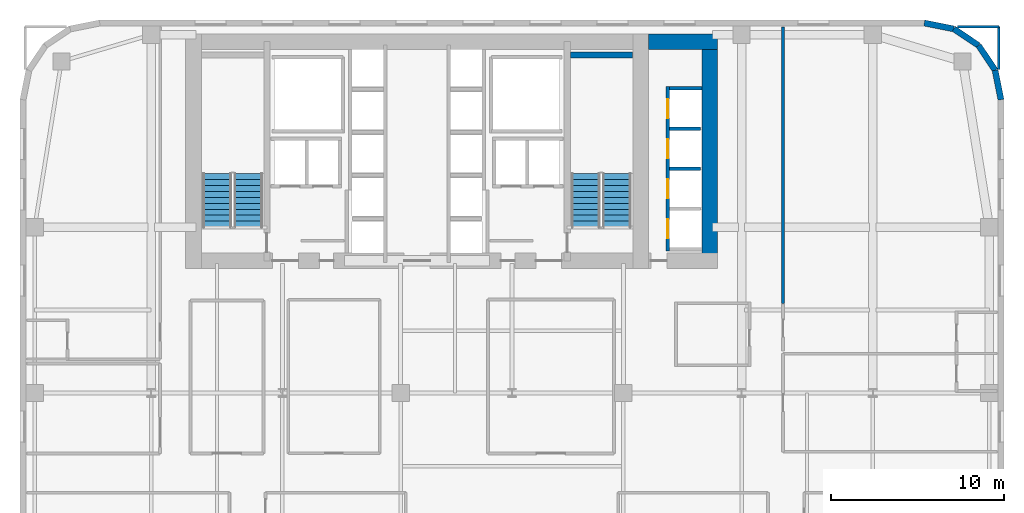
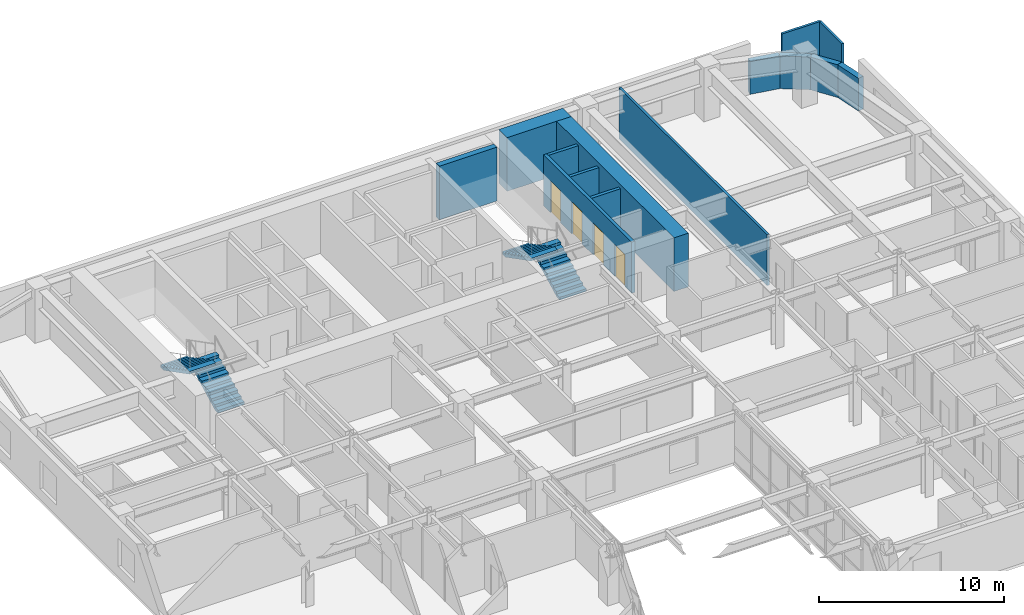
# One storey, part 15 of 16: 14 walls, 4 doors, 4 stair flights, 4 openings, 2 elements without a shape of their own.
"""IFC4 building model written with IfcOpenShell, lengths in metres."""

from ifc_helpers import new_model, si_unit, direction, frame, frame_2d, origin, place, context, subcontext, project, spatial, polyline, rectangle, outline, extrude, source, transform, mapped, material, layer, layer_set, type_object, type_shapes, element, fill, aggregate, save


model = new_model("IFC4")

# Units and contexts
model_context = context("Model", 3, precision=1e-05, world=origin(), true_north=direction((0.0, 1.0)))
body_context = subcontext(model_context, "Body", "Model", "MODEL_VIEW")
ifc_project = project(units=[si_unit("LENGTHUNIT", "METRE"), si_unit("AREAUNIT", "SQUARE_METRE"), si_unit("VOLUMEUNIT", "CUBIC_METRE"), si_unit("PLANEANGLEUNIT", "RADIAN"), si_unit("MASSUNIT", "GRAM", prefix="KILO")], contexts=[model_context])

# Site, building, storey
site_placement = place(None, origin())
site = spatial("IfcSite", under=ifc_project, at=site_placement, CompositionType="ELEMENT")
building_placement = place(site_placement, origin())
building = spatial("IfcBuilding", under=site, at=building_placement, Name="Tolvann Quenvar Hotel", CompositionType="ELEMENT")
storey_placement = place(building_placement, frame((0.0, 0.0, 71.050048828125)))
storey = spatial("IfcBuildingStorey", under=building, at=storey_placement, Name="L17", CompositionType="ELEMENT", Elevation=71.050048828125)

# Walls
ifc_material_1 = material(Name="Concrete S80 (80 MPa)", Category="concrete")
ifc_layer_1 = layer(ifc_material_1, 0.89990234375)
ifc_layer_set_1 = layer_set([ifc_layer_1], Name="Concrete S80 (80 MPa)")
wall_type_1 = type_object("IfcWallType", Name="WALL_CORE_900", PredefinedType="SHEAR", material=ifc_layer_set_1)
wall_1_placement = place(storey_placement, frame((36.39990234375, 44.75, 0.0), z_axis=(0.0, 0.0, 1.0), x_axis=(1.0, 0.0, 0.0)))
element("IfcWall", 1, at=wall_1_placement, inside=storey, type_object=wall_type_1, Name="Core East Annex Shear Wall ANN-N (L17)", PredefinedType="SHEAR", context=body_context, shape_type="SweptSolid", body=[
    extrude(rectangle(XDim=4.0, YDim=0.89990234375, at=frame_2d((2.0, 0.0))), origin(), (0.0, 0.0, 1.0), 3.550048828125),
])
wall_2_placement = place(storey_placement, frame((39.949951171875, 31.60009765625, 0.0), z_axis=(0.0, 0.0, 1.0), x_axis=(0.0, 1.0, 0.0)))
element("IfcWall", 2, at=wall_2_placement, inside=storey, type_object=wall_type_1, Name="Core East Annex Shear Wall ANN-E (L17)", PredefinedType="SHEAR", context=body_context, shape_type="SweptSolid", body=[
    extrude(rectangle(XDim=13.599853515625, YDim=0.89990234375, at=frame_2d((6.7998046875, 0.0))), origin(), (0.0, 0.0, 1.0), 3.550048828125),
])
ifc_material_2 = material(Name="Concrete S65 (65 MPa)", Category="concrete")
ifc_layer_2 = layer(ifc_material_2, 0.35009765625)
ifc_layer_set_2 = layer_set([ifc_layer_2], Name="Concrete S65 (65 MPa)")
wall_type_2 = type_object("IfcWallType", Name="WALL_CORE_INT_350", PredefinedType="SHEAR", material=ifc_layer_set_2)
wall_3_placement = place(storey_placement, frame((31.8798828125, 43.97509765625, 0.0), z_axis=(0.0, 0.0, 1.0), x_axis=(1.0, 0.0, 0.0)))
element("IfcWall", 3, at=wall_3_placement, inside=storey, type_object=wall_type_2, Name="Core Stair North Closing Shear Wall STC2-N (L17)", PredefinedType="SHEAR", context=body_context, shape_type="SweptSolid", body=[
    extrude(rectangle(XDim=3.60009765625, YDim=0.35009765625, at=frame_2d((1.800048828125, 0.0))), origin(), (0.0, 0.0, 1.0), 3.550048828125),
])
ifc_material_3 = material(Name="Kiln-fired red and buff architectural clay brickwork and terracotta masonry", Category="masonry")
ifc_layer_3 = layer(ifc_material_3, 0.35009765625)
ifc_layer_set_3 = layer_set([ifc_layer_3], Name="Kiln-fired red and buff architectural clay brickwork and terracotta masonry")
wall_type_3 = type_object("IfcWallType", Name="WALL_EXT_BRICK_350", PredefinedType="SOLIDWALL", material=ifc_layer_set_3)
wall_4_placement = place(storey_placement, frame((56.824951171875, 41.3828125, 0.0), z_axis=(0.0, 0.0, 1.0), x_axis=(-0.195011420161, 0.980800971659, 0.0)))
element("IfcWall", 4, at=wall_4_placement, inside=storey, type_object=wall_type_3, Name="Exterior Chicago Brick Wall L17-E14", PredefinedType="SOLIDWALL", context=body_context, shape_type="SweptSolid", body=[
    extrude(rectangle(XDim=1.74267578125, YDim=0.35009765625, at=frame_2d((0.871337890625, 0.0))), origin(), (0.0, 0.0, 1.0), 2.159912109375),
])
for number, where, z_axis, x_axis, name in (
    (5, (56.485107421875, 43.092041015625, 0.0), (0.0, 0.0, 1.0), (-0.55554893791, 0.831483840845, 0.0), "Exterior Chicago Brick Wall L17-E15"),
    (6, (55.526611328125, 44.526611328125, 0.0), (0.0, 0.0, 1.0), (-0.831483840845, 0.55554893791, 0.0), "Exterior Chicago Brick Wall L17-E16"),
):
    element("IfcWall", number, at=place(storey_placement, frame(where, z_axis=z_axis, x_axis=x_axis)), inside=storey, type_object=wall_type_3, Name=name, PredefinedType="SOLIDWALL", context=body_context, shape_type="SweptSolid", body=[
        extrude(rectangle(XDim=1.725341796875, YDim=0.35009765625, at=frame_2d((0.86279296875, 0.0))), origin(), (0.0, 0.0, 1.0), 2.159912109375),
    ])
wall_5_placement = place(storey_placement, frame((54.092041015625, 45.485107421875, 0.0), z_axis=(0.0, 0.0, 1.0), x_axis=(-0.980800971659, 0.195011420161, 0.0)))
element("IfcWall", 7, at=wall_5_placement, inside=storey, type_object=wall_type_3, Name="Exterior Chicago Brick Wall L17-E17", PredefinedType="SOLIDWALL", context=body_context, shape_type="SweptSolid", body=[
    extrude(rectangle(XDim=1.74267578125, YDim=0.35009765625, at=frame_2d((0.871337890625, 0.0))), origin(), (0.0, 0.0, 1.0), 2.159912109375),
])
ifc_material_4 = material(Name="Acoustic twin-stud fire-rated gypsum plasterboard partition")
ifc_layer_4 = layer(ifc_material_4, 0.14990234375)
ifc_layer_set_4 = layer_set([ifc_layer_4], Name="Acoustic twin-stud fire-rated gypsum plasterboard partition")
wall_type_4 = type_object("IfcWallType", Name="WALL_PART_SUITE_150", PredefinedType="PARTITIONING", material=ifc_layer_set_4)
wall_6_placement = place(storey_placement, frame((56.699951171875, 43.135009765625, 0.0), z_axis=(0.0, 0.0, 1.0), x_axis=(0.0, 1.0, 0.0)))
element("IfcWall", 8, at=wall_6_placement, inside=storey, type_object=wall_type_4, Name="Interior Partition PT-SPC-L17-RM-NE02-E4", PredefinedType="PARTITIONING", context=body_context, shape_type="SweptSolid", body=[
    extrude(rectangle(XDim=2.485107421875, YDim=0.14990234375, at=frame_2d((1.24267578125, 0.0))), origin(), (0.0, 0.0, 1.0), 3.369873046875),
])
wall_7_placement = place(storey_placement, frame((54.303955078125, 45.6201171875, 0.0), z_axis=(0.0, 0.0, 1.0), x_axis=(1.0, 0.0, 0.0)))
element("IfcWall", 9, at=wall_7_placement, inside=storey, type_object=wall_type_4, Name="Interior Partition PT-SPC-L17-RM-NE02-E5", PredefinedType="PARTITIONING", context=body_context, shape_type="SweptSolid", body=[
    extrude(rectangle(XDim=2.39599609375, YDim=0.14990234375, at=frame_2d((1.197998046875, 0.0))), origin(), (0.0, 0.0, 1.0), 3.369873046875),
])
wall_8_placement = place(storey_placement, frame((44.199951171875, 29.570068359375, 0.0), z_axis=(0.0, 0.0, 1.0), x_axis=(0.0, 1.0, 0.0)))
element("IfcWall", 10, at=wall_8_placement, inside=storey, type_object=wall_type_4, Name="Interior Partition PT-SPC-L17-RM-NE02-E6", PredefinedType="PARTITIONING", context=body_context, shape_type="SweptSolid", body=[
    extrude(rectangle(XDim=16.02490234375, YDim=0.14990234375, at=frame_2d((8.012451171875, 0.0))), origin(), (0.0, 0.0, 1.0), 3.369873046875),
])

# Wall, openings, doors
ifc_material_5 = material(Name="Concrete N40 (40 MPa)", Category="concrete")
ifc_layer_5 = layer(ifc_material_5, 0.199951171875)
ifc_layer_set_5 = layer_set([ifc_layer_5], Name="Concrete N40 (40 MPa)")
wall_type_5 = type_object("IfcWallType", Name="WALL_SHAFT_200", PredefinedType="SOLIDWALL", material=ifc_layer_set_5)
wall_9_placement = place(storey_placement, frame((37.530029296875, 32.610107421875, 0.0), z_axis=(0.0, 0.0, 1.0), x_axis=(0.0, 1.0, 0.0)))
wall_9 = element("IfcWall", 11, at=wall_9_placement, inside=storey, type_object=wall_type_5, Name="Lift Bank W37.6C1 Hoistway Front Wall (L17)", PredefinedType="SOLIDWALL", context=body_context, shape_type="SweptSolid", body=[
    extrude(rectangle(XDim=9.539794921875, YDim=0.199951171875, at=frame_2d((4.77001953125, 0.0))), origin(), (0.0, 0.0, 1.0), 3.369873046875),
])
opening_1_placement = place(wall_9_placement, frame((0.739990234375, 0.0, 0.0)))
opening_1 = element("IfcOpeningElement", 12, at=opening_1_placement, cuts=wall_9, Name="Opening LD-01", PredefinedType="OPENING", context=body_context, shape_type="SweptSolid", body=[
    extrude(rectangle(XDim=1.10009765625, YDim=2.1201171875, at=frame_2d((0.550048828125, 1.06005859375))), frame((0.0, 0.10986328125, 0.0), z_axis=(0.0, -1.0, 0.0), x_axis=(1.0, 0.0, 0.0)), (0.0, 0.0, 1.0), 0.219970703125),
])
opening_2_placement = place(wall_9_placement, frame((3.06005859375, 0.0, 0.0)))
opening_2 = element("IfcOpeningElement", 13, at=opening_2_placement, cuts=wall_9, Name="Opening LD-01", PredefinedType="OPENING", context=body_context, shape_type="SweptSolid", body=[
    extrude(rectangle(XDim=1.10009765625, YDim=2.1201171875, at=frame_2d((0.550048828125, 1.06005859375))), frame((0.0, 0.10986328125, 0.0), z_axis=(0.0, -1.0, 0.0), x_axis=(1.0, 0.0, 0.0)), (0.0, 0.0, 1.0), 0.219970703125),
])
opening_3_placement = place(wall_9_placement, frame((5.3798828125, 0.0, 0.0)))
opening_3 = element("IfcOpeningElement", 14, at=opening_3_placement, cuts=wall_9, Name="Opening LD-01", PredefinedType="OPENING", context=body_context, shape_type="SweptSolid", body=[
    extrude(rectangle(XDim=1.10009765625, YDim=2.1201171875, at=frame_2d((0.550048828125, 1.06005859375))), frame((0.0, 0.10986328125, 0.0), z_axis=(0.0, -1.0, 0.0), x_axis=(1.0, 0.0, 0.0)), (0.0, 0.0, 1.0), 0.219970703125),
])
opening_4_placement = place(wall_9_placement, frame((7.699951171875, 0.0, 0.0)))
opening_4 = element("IfcOpeningElement", 15, at=opening_4_placement, cuts=wall_9, Name="Opening LD-01", PredefinedType="OPENING", context=body_context, shape_type="SweptSolid", body=[
    extrude(rectangle(XDim=1.10009765625, YDim=2.1201171875, at=frame_2d((0.550048828125, 1.06005859375))), frame((0.0, 0.10986328125, 0.0), z_axis=(0.0, -1.0, 0.0), x_axis=(1.0, 0.0, 0.0)), (0.0, 0.0, 1.0), 0.219970703125),
])
ifc_material_6 = material(Name="Brushed 316 stainless steel automatic sliding lift landing door", Category="steel")
door_type = type_object("IfcDoorType", Name="DOOR_LIFT_SLIDE_1100", OperationType="NOTDEFINED", PredefinedType="DOOR", material=ifc_material_6)
shared_shape = source(origin(), body_context, "Body", "SweptSolid", [
    extrude(rectangle(XDim=1.10009765625, YDim=2.1201171875, at=frame_2d((0.550048828125, 1.06005859375))), frame((0.0, 0.02490234375, 0.0), z_axis=(0.0, -1.0, 0.0), x_axis=(1.0, 0.0, 0.0)), (0.0, 0.0, 1.0), 0.050048828125),
])
type_shapes(door_type, [shared_shape])
door_1_placement = place(opening_1_placement, origin())
door_1 = element("IfcDoor", 16, at=door_1_placement, inside=storey, type_object=door_type, Name="Lift PL-1 Sliding Landing Door (L17)", OperationType="SLIDING_TO_LEFT", OverallHeight=2.1201171875, OverallWidth=1.10009765625, PredefinedType="DOOR", context=body_context, shape_type="MappedRepresentation", body=[
    mapped(shared_shape, transform((0.0, 0.0, 0.0), x_axis=(1.0, 0.0, 0.0), y_axis=(0.0, 1.0, 0.0), z_axis=(0.0, 0.0, 1.0), scale=1.0)),
])
fill(opening_1, door_1)
door_2_placement = place(opening_2_placement, origin())
door_2 = element("IfcDoor", 17, at=door_2_placement, inside=storey, type_object=door_type, Name="Lift PL-2 Sliding Landing Door (L17)", OperationType="SLIDING_TO_RIGHT", OverallHeight=2.1201171875, OverallWidth=1.10009765625, PredefinedType="DOOR", context=body_context, shape_type="MappedRepresentation", body=[
    mapped(shared_shape, transform((0.0, 0.0, 0.0), x_axis=(1.0, 0.0, 0.0), y_axis=(0.0, 1.0, 0.0), z_axis=(0.0, 0.0, 1.0), scale=1.0)),
])
fill(opening_2, door_2)
door_3_placement = place(opening_3_placement, origin())
door_3 = element("IfcDoor", 18, at=door_3_placement, inside=storey, type_object=door_type, Name="Lift PL-3 Sliding Landing Door (L17)", OperationType="SLIDING_TO_LEFT", OverallHeight=2.1201171875, OverallWidth=1.10009765625, PredefinedType="DOOR", context=body_context, shape_type="MappedRepresentation", body=[
    mapped(shared_shape, transform((0.0, 0.0, 0.0), x_axis=(1.0, 0.0, 0.0), y_axis=(0.0, 1.0, 0.0), z_axis=(0.0, 0.0, 1.0), scale=1.0)),
])
fill(opening_3, door_3)
door_4_placement = place(opening_4_placement, origin())
door_4 = element("IfcDoor", 19, at=door_4_placement, inside=storey, type_object=door_type, Name="Lift PL-4 Sliding Landing Door (L17)", OperationType="SLIDING_TO_RIGHT", OverallHeight=2.1201171875, OverallWidth=1.10009765625, PredefinedType="DOOR", context=body_context, shape_type="MappedRepresentation", body=[
    mapped(shared_shape, transform((0.0, 0.0, 0.0), x_axis=(1.0, 0.0, 0.0), y_axis=(0.0, 1.0, 0.0), z_axis=(0.0, 0.0, 1.0), scale=1.0)),
])
fill(opening_4, door_4)

# Walls
wall_10_placement = place(storey_placement, frame((37.6298828125, 42.050048828125, 0.0), z_axis=(0.0, 0.0, 1.0), x_axis=(1.0, 0.0, 0.0)))
element("IfcWall", 20, at=wall_10_placement, inside=storey, type_object=wall_type_5, Name="Lift Bank W37.6C1 Hoistway Cheek Wall 2 (L17)", PredefinedType="SOLIDWALL", context=body_context, shape_type="SweptSolid", body=[
    extrude(rectangle(XDim=1.8701171875, YDim=0.199951171875, at=frame_2d((0.93505859375, 0.0))), origin(), (0.0, 0.0, 1.0), 3.369873046875),
])
for number, where, z_axis, x_axis, name in (
    (21, (37.6298828125, 37.3798828125, 0.0), (0.0, 0.0, 1.0), (1.0, 0.0, 0.0), "Lift Bank W37.6C1 Divider Wall 2 (L17)"),
    (22, (37.6298828125, 39.699951171875, 0.0), (0.0, 0.0, 1.0), (1.0, 0.0, 0.0), "Lift Bank W37.6C1 Divider Wall 3 (L17)"),
):
    element("IfcWall", number, at=place(storey_placement, frame(where, z_axis=z_axis, x_axis=x_axis)), inside=storey, type_object=wall_type_5, Name=name, PredefinedType="SOLIDWALL", context=body_context, shape_type="SweptSolid", body=[
        extrude(rectangle(XDim=1.800048828125, YDim=0.199951171875, at=frame_2d((0.89990234375, 0.0))), origin(), (0.0, 0.0, 1.0), 3.369873046875),
    ])

# Stair, stair flights
stair_type = type_object("IfcStairType", Name="STAIR", PredefinedType="HALF_TURN_STAIR", material=ifc_material_5)
stair_1_placement = place(storey_placement, origin())
stair_1 = element("IfcStair", 23, at=stair_1_placement, inside=storey, type_object=stair_type, Name="L17 ST-C1", PredefinedType="HALF_TURN_STAIR")
stair_flight_type = type_object("IfcStairFlightType", Name="STAIR_FLIGHT", PredefinedType="STRAIGHT", material=ifc_material_5)
stair_flight_1_placement = place(storey_placement, frame((13.22509765625, 34.0, 0.0), z_axis=(0.0, 0.0, 1.0), x_axis=(0.0, 1.0, 0.0)))
stair_flight_1 = element("IfcStairFlight", 24, at=stair_flight_1_placement, type_object=stair_flight_type, Name="ST-C1 flight 1", NumberOfRisers=10, NumberOfTreads=9, PredefinedType="STRAIGHT", RiserHeight=0.1775, TreadLength=0.345, context=body_context, shape_type="SweptSolid", body=[
    extrude(outline(polyline([(0.0, 0.0), (0.0, 0.177490234375), (0.344970703125, 0.177490234375), (0.344970703125, 0.35498046875), (0.68994140625, 0.35498046875), (0.68994140625, 0.532470703125), (1.034912109375, 0.532470703125), (1.034912109375, 0.7099609375), (1.3798828125, 0.7099609375), (1.3798828125, 0.887451171875), (1.72509765625, 0.887451171875), (1.72509765625, 1.06494140625), (2.070068359375, 1.06494140625), (2.070068359375, 1.242431640625), (2.4150390625, 1.242431640625), (2.4150390625, 1.419921875), (2.760009765625, 1.419921875), (2.760009765625, 1.597412109375), (3.10498046875, 1.597412109375), (3.10498046875, 1.77490234375), (3.10498046875, 1.428955078125), (0.32763671875, 0.0), (0.0, 0.0)])), frame((0.0, 0.824951171875, 0.0), z_axis=(0.0, -1.0, 0.0), x_axis=(1.0, 0.0, 0.0)), (0.0, 0.0, 1.0), 1.64990234375),
])
stair_flight_2_placement = place(storey_placement, frame((11.425048828125, 37.10498046875, 1.77490234375), z_axis=(0.0, 0.0, 1.0), x_axis=(0.0, -1.0, 0.0)))
stair_flight_2 = element("IfcStairFlight", 25, at=stair_flight_2_placement, type_object=stair_flight_type, Name="ST-C1 flight 2", NumberOfRisers=10, NumberOfTreads=9, PredefinedType="STRAIGHT", RiserHeight=0.1775, TreadLength=0.345, context=body_context, shape_type="SweptSolid", body=[
    extrude(outline(polyline([(0.0, 0.0), (0.0, 0.177490234375), (0.344970703125, 0.177490234375), (0.344970703125, 0.35498046875), (0.68994140625, 0.35498046875), (0.68994140625, 0.532470703125), (1.034912109375, 0.532470703125), (1.034912109375, 0.7099609375), (1.3798828125, 0.7099609375), (1.3798828125, 0.887451171875), (1.72509765625, 0.887451171875), (1.72509765625, 1.06494140625), (2.070068359375, 1.06494140625), (2.070068359375, 1.242431640625), (2.4150390625, 1.242431640625), (2.4150390625, 1.419921875), (2.760009765625, 1.419921875), (2.760009765625, 1.597412109375), (3.10498046875, 1.597412109375), (3.10498046875, 1.77490234375), (3.10498046875, 1.428955078125), (0.32763671875, 0.0), (0.0, 0.0)])), frame((0.0, 0.824951171875, 0.0), z_axis=(0.0, -1.0, 0.0), x_axis=(1.0, 0.0, 0.0)), (0.0, 0.0, 1.0), 1.64990234375),
])
aggregate(stair_1, [stair_flight_1, stair_flight_2])

stair_2_placement = place(storey_placement, origin())
stair_2 = element("IfcStair", 26, at=stair_2_placement, inside=storey, type_object=stair_type, Name="L17 ST-C2", PredefinedType="HALF_TURN_STAIR")
stair_flight_3_placement = place(storey_placement, frame((34.574951171875, 34.0, 0.0), z_axis=(0.0, 0.0, 1.0), x_axis=(0.0, 1.0, 0.0)))
stair_flight_3 = element("IfcStairFlight", 27, at=stair_flight_3_placement, type_object=stair_flight_type, Name="ST-C2 flight 1", NumberOfRisers=10, NumberOfTreads=9, PredefinedType="STRAIGHT", RiserHeight=0.1775, TreadLength=0.345, context=body_context, shape_type="SweptSolid", body=[
    extrude(outline(polyline([(0.0, 0.0), (0.0, 0.177490234375), (0.344970703125, 0.177490234375), (0.344970703125, 0.35498046875), (0.68994140625, 0.35498046875), (0.68994140625, 0.532470703125), (1.034912109375, 0.532470703125), (1.034912109375, 0.7099609375), (1.3798828125, 0.7099609375), (1.3798828125, 0.887451171875), (1.72509765625, 0.887451171875), (1.72509765625, 1.06494140625), (2.070068359375, 1.06494140625), (2.070068359375, 1.242431640625), (2.4150390625, 1.242431640625), (2.4150390625, 1.419921875), (2.760009765625, 1.419921875), (2.760009765625, 1.597412109375), (3.10498046875, 1.597412109375), (3.10498046875, 1.77490234375), (3.10498046875, 1.428955078125), (0.32763671875, 0.0), (0.0, 0.0)])), frame((0.0, 0.824951171875, 0.0), z_axis=(0.0, -1.0, 0.0), x_axis=(1.0, 0.0, 0.0)), (0.0, 0.0, 1.0), 1.64990234375),
])
stair_flight_4_placement = place(storey_placement, frame((32.77490234375, 37.10498046875, 1.77490234375), z_axis=(0.0, 0.0, 1.0), x_axis=(0.0, -1.0, 0.0)))
stair_flight_4 = element("IfcStairFlight", 28, at=stair_flight_4_placement, type_object=stair_flight_type, Name="ST-C2 flight 2", NumberOfRisers=10, NumberOfTreads=9, PredefinedType="STRAIGHT", RiserHeight=0.1775, TreadLength=0.345, context=body_context, shape_type="SweptSolid", body=[
    extrude(outline(polyline([(0.0, 0.0), (0.0, 0.177490234375), (0.344970703125, 0.177490234375), (0.344970703125, 0.35498046875), (0.68994140625, 0.35498046875), (0.68994140625, 0.532470703125), (1.034912109375, 0.532470703125), (1.034912109375, 0.7099609375), (1.3798828125, 0.7099609375), (1.3798828125, 0.887451171875), (1.72509765625, 0.887451171875), (1.72509765625, 1.06494140625), (2.070068359375, 1.06494140625), (2.070068359375, 1.242431640625), (2.4150390625, 1.242431640625), (2.4150390625, 1.419921875), (2.760009765625, 1.419921875), (2.760009765625, 1.597412109375), (3.10498046875, 1.597412109375), (3.10498046875, 1.77490234375), (3.10498046875, 1.428955078125), (0.32763671875, 0.0), (0.0, 0.0)])), frame((0.0, 0.824951171875, 0.0), z_axis=(0.0, -1.0, 0.0), x_axis=(1.0, 0.0, 0.0)), (0.0, 0.0, 1.0), 1.64990234375),
])
aggregate(stair_2, [stair_flight_3, stair_flight_4])

save(model, "model.ifc")
